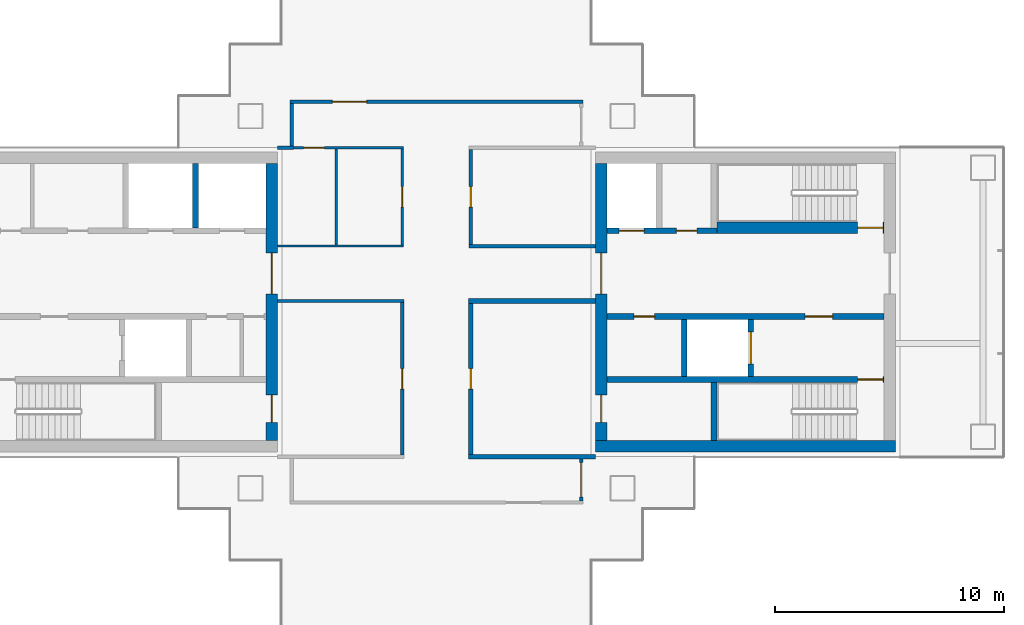
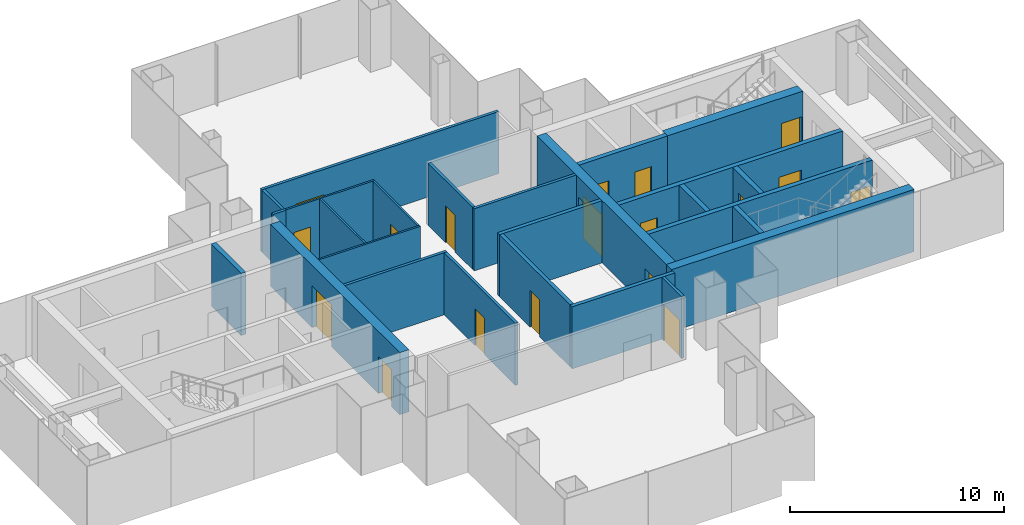
# One storey, part 12 of 16: 26 walls, 18 doors, 18 openings.
"""IFC4 building model written with IfcOpenShell, lengths in metres."""

from ifc_helpers import new_model, si_unit, direction, frame, frame_2d, origin, place, context, subcontext, project, spatial, rectangle, extrude, material, layer, layer_set, type_object, element, fill, save


model = new_model("IFC4")

# Units and contexts
model_context = context("Model", 3, precision=1e-05, world=origin(), true_north=direction((0.0, 1.0)))
body_context = subcontext(model_context, "Body", "Model", "MODEL_VIEW")
ifc_project = project(units=[si_unit("LENGTHUNIT", "METRE"), si_unit("AREAUNIT", "SQUARE_METRE"), si_unit("VOLUMEUNIT", "CUBIC_METRE"), si_unit("PLANEANGLEUNIT", "RADIAN"), si_unit("MASSUNIT", "GRAM", prefix="KILO")], contexts=[model_context])

# Site, building, storey
site_placement = place(None, origin())
site = spatial("IfcSite", under=ifc_project, at=site_placement, CompositionType="ELEMENT")
building_placement = place(site_placement, origin())
building = spatial("IfcBuilding", under=site, at=building_placement, Name="Shamsa Quay Exchange Towers", CompositionType="ELEMENT")
storey_placement = place(building_placement, frame((0.0, 0.0, 142.800048828125)))
storey = spatial("IfcBuildingStorey", under=building, at=storey_placement, Name="L33", CompositionType="ELEMENT", Elevation=142.800048828125)

# Wall, openings, doors
ifc_material_1 = material(Name="Concrete C60/75", Category="concrete")
ifc_layer_1 = layer(ifc_material_1, 0.5)
ifc_layer_set_1 = layer_set([ifc_layer_1], Name="CORE WALL 500 C60/75")
wall_type_1 = type_object("IfcWallType", Name="CORE WALL 500 C60/75", PredefinedType="SHEAR", material=ifc_layer_set_1)
wall_1_placement = place(storey_placement, frame((26.550048828125, 6.050048828125, 0.0), z_axis=(0.0, 0.0, 1.0), x_axis=(0.0, -1.0, 0.0)))
wall_1 = element("IfcWall", 1, at=wall_1_placement, inside=storey, type_object=wall_type_1, Name="Core wall T2A-R15-PB", PredefinedType="SHEAR", context=body_context, shape_type="SweptSolid", body=[
    extrude(rectangle(XDim=12.10009765625, YDim=0.5, at=frame_2d((6.050048828125, 0.0))), origin(), (0.0, 0.0, 1.0), 3.550048828125),
])
opening_1_placement = place(wall_1_placement, frame((10.10009765625, 0.0, 0.0)))
opening_1 = element("IfcOpeningElement", 2, at=opening_1_placement, cuts=wall_1, Name="Opening T2A-R15-RD02", PredefinedType="OPENING", context=body_context, shape_type="SweptSolid", body=[
    extrude(rectangle(XDim=1.199951171875, YDim=2.10009765625, at=frame_2d((0.60009765625, 1.050048828125))), frame((0.0, 0.260009765625, 0.0), z_axis=(0.0, -1.0, 0.0), x_axis=(1.0, 0.0, 0.0)), (0.0, 0.0, 1.0), 0.52001953125),
])
opening_2_placement = place(wall_1_placement, frame((3.89990234375, 0.0, 0.0)))
opening_2 = element("IfcOpeningElement", 3, at=opening_2_placement, cuts=wall_1, Name="Opening T2A-R15-LBD03", PredefinedType="OPENING", context=body_context, shape_type="SweptSolid", body=[
    extrude(rectangle(XDim=1.800048828125, YDim=2.39990234375, at=frame_2d((0.89990234375, 1.199951171875))), frame((0.0, 0.260009765625, 0.0), z_axis=(0.0, -1.0, 0.0), x_axis=(1.0, 0.0, 0.0)), (0.0, 0.0, 1.0), 0.52001953125),
])
ifc_material_2 = material(Name="Steel, fire rated", Category="steel")
door_type_1 = type_object("IfcDoorType", Name="LIFT LOBBY DOOR PAIR 1800", OperationType="DOUBLE_DOOR_SINGLE_SWING", PredefinedType="DOOR", material=ifc_material_2)
door_1_placement = place(opening_2_placement, origin())
door_1 = element("IfcDoor", 4, at=door_1_placement, inside=storey, type_object=door_type_1, Name="T2A-R15-LBD03", OperationType="DOUBLE_DOOR_SINGLE_SWING", OverallHeight=2.39990234375, OverallWidth=1.800048828125, PredefinedType="DOOR", context=body_context, shape_type="SweptSolid", body=[
    extrude(rectangle(XDim=1.800048828125, YDim=2.39990234375, at=frame_2d((0.89990234375, 1.199951171875))), frame((0.0, 0.02490234375, 0.0), z_axis=(0.0, -1.0, 0.0), x_axis=(1.0, 0.0, 0.0)), (0.0, 0.0, 1.0), 0.050048828125),
])
fill(opening_2, door_1)
door_type_2 = type_object("IfcDoorType", Name="RISER ACCESS DOOR 1200", OperationType="SINGLE_SWING_LEFT", PredefinedType="DOOR", material=ifc_material_2)
door_2_placement = place(opening_1_placement, origin())
door_2 = element("IfcDoor", 5, at=door_2_placement, inside=storey, type_object=door_type_2, Name="T2A-R15-RD02", OperationType="SINGLE_SWING_RIGHT", OverallHeight=2.10009765625, OverallWidth=1.199951171875, PredefinedType="DOOR", context=body_context, shape_type="SweptSolid", body=[
    extrude(rectangle(XDim=1.199951171875, YDim=2.10009765625, at=frame_2d((0.60009765625, 1.050048828125))), frame((0.0, 0.02490234375, 0.0), z_axis=(0.0, -1.0, 0.0), x_axis=(1.0, 0.0, 0.0)), (0.0, 0.0, 1.0), 0.050048828125),
])
fill(opening_1, door_2)

# Wall
wall_2_placement = place(storey_placement, frame((53.800048828125, -6.300048828125, 0.0), z_axis=(0.0, 0.0, 1.0), x_axis=(-1.0, 0.0, 0.0)))
element("IfcWall", 6, at=wall_2_placement, inside=storey, type_object=wall_type_1, Name="Core wall T2B-R15-PS", PredefinedType="SHEAR", context=body_context, shape_type="SweptSolid", body=[
    extrude(rectangle(XDim=13.10009765625, YDim=0.5, at=frame_2d((6.550048828125, 0.0))), origin(), (0.0, 0.0, 1.0), 3.550048828125),
])

# Wall, openings, doors
wall_3_placement = place(storey_placement, frame((40.949951171875, -6.050048828125, 0.0), z_axis=(0.0, 0.0, 1.0), x_axis=(0.0, 1.0, 0.0)))
wall_3 = element("IfcWall", 7, at=wall_3_placement, inside=storey, type_object=wall_type_1, Name="Core wall T2B-R15-PB", PredefinedType="SHEAR", context=body_context, shape_type="SweptSolid", body=[
    extrude(rectangle(XDim=12.10009765625, YDim=0.5, at=frame_2d((6.050048828125, 0.0))), origin(), (0.0, 0.0, 1.0), 3.550048828125),
])
opening_3_placement = place(wall_3_placement, frame((0.800048828125, 0.0, 0.0)))
opening_3 = element("IfcOpeningElement", 8, at=opening_3_placement, cuts=wall_3, Name="Opening T2B-R15-RD02", PredefinedType="OPENING", context=body_context, shape_type="SweptSolid", body=[
    extrude(rectangle(XDim=1.199951171875, YDim=2.10009765625, at=frame_2d((0.60009765625, 1.050048828125))), frame((0.0, 0.260009765625, 0.0), z_axis=(0.0, -1.0, 0.0), x_axis=(1.0, 0.0, 0.0)), (0.0, 0.0, 1.0), 0.52001953125),
])
opening_4_placement = place(wall_3_placement, frame((6.39990234375, 0.0, 0.0)))
opening_4 = element("IfcOpeningElement", 9, at=opening_4_placement, cuts=wall_3, Name="Opening T2B-R15-LBD03", PredefinedType="OPENING", context=body_context, shape_type="SweptSolid", body=[
    extrude(rectangle(XDim=1.800048828125, YDim=2.39990234375, at=frame_2d((0.89990234375, 1.199951171875))), frame((0.0, 0.260009765625, 0.0), z_axis=(0.0, -1.0, 0.0), x_axis=(1.0, 0.0, 0.0)), (0.0, 0.0, 1.0), 0.52001953125),
])
door_3_placement = place(opening_4_placement, origin())
door_3 = element("IfcDoor", 10, at=door_3_placement, inside=storey, type_object=door_type_1, Name="T2B-R15-LBD03", OperationType="DOUBLE_DOOR_SINGLE_SWING", OverallHeight=2.39990234375, OverallWidth=1.800048828125, PredefinedType="DOOR", context=body_context, shape_type="SweptSolid", body=[
    extrude(rectangle(XDim=1.800048828125, YDim=2.39990234375, at=frame_2d((0.89990234375, 1.199951171875))), frame((0.0, 0.02490234375, 0.0), z_axis=(0.0, -1.0, 0.0), x_axis=(1.0, 0.0, 0.0)), (0.0, 0.0, 1.0), 0.050048828125),
])
fill(opening_4, door_3)
door_4_placement = place(opening_3_placement, origin())
door_4 = element("IfcDoor", 11, at=door_4_placement, inside=storey, type_object=door_type_2, Name="T2B-R15-RD02", OperationType="SINGLE_SWING_LEFT", OverallHeight=2.10009765625, OverallWidth=1.199951171875, PredefinedType="DOOR", context=body_context, shape_type="SweptSolid", body=[
    extrude(rectangle(XDim=1.199951171875, YDim=2.10009765625, at=frame_2d((0.60009765625, 1.050048828125))), frame((0.0, 0.02490234375, 0.0), z_axis=(0.0, -1.0, 0.0), x_axis=(1.0, 0.0, 0.0)), (0.0, 0.0, 1.0), 0.050048828125),
])
fill(opening_3, door_4)

# Wall, opening, door
ifc_material_3 = material(Name="Gypsum board partition on metal studs")
ifc_layer_2 = layer(ifc_material_3, 0.10009765625)
ifc_layer_set_2 = layer_set([ifc_layer_2], Name="Partition 100 mm NOT RATED")
wall_type_2 = type_object("IfcWallType", Name="Partition 100 mm NOT RATED", PredefinedType="PARTITIONING", material=ifc_layer_set_2)
wall_4_placement = place(storey_placement, frame((32.300048828125, 6.75, 0.0), z_axis=(0.0, 0.0, 1.0), x_axis=(-1.0, 0.0, 0.0)))
wall_4 = element("IfcWall", 12, at=wall_4_placement, inside=storey, type_object=wall_type_2, Name="Partition T2-R15-W01", PredefinedType="PARTITIONING", context=body_context, shape_type="SweptSolid", body=[
    extrude(rectangle(XDim=4.9501953125, YDim=0.10009765625, at=frame_2d((2.47509765625, 0.0))), origin(), (0.0, 0.0, 1.0), 3.550048828125),
])
opening_5_placement = place(wall_4_placement, frame((3.4501953125, 0.0, 0.0)))
opening_5 = element("IfcOpeningElement", 13, at=opening_5_placement, cuts=wall_4, Name="Opening T2-R15-D08", PredefinedType="OPENING", context=body_context, shape_type="SweptSolid", body=[
    extrude(rectangle(XDim=0.89990234375, YDim=2.10009765625, at=frame_2d((0.449951171875, 1.050048828125))), frame((0.0, 0.06005859375, 0.0), z_axis=(0.0, -1.0, 0.0), x_axis=(1.0, 0.0, 0.0)), (0.0, 0.0, 1.0), 0.1201171875),
])
ifc_material_4 = material(Name="Timber door leaf in a metal frame", Category="wood")
door_type_3 = type_object("IfcDoorType", Name="Door 900x2100 NOT RATED", OperationType="NOTDEFINED", PredefinedType="DOOR", material=ifc_material_4)
door_5_placement = place(opening_5_placement, origin())
door_5 = element("IfcDoor", 14, at=door_5_placement, inside=storey, type_object=door_type_3, Name="Door T2-R15-D08", OperationType="SINGLE_SWING_LEFT", OverallHeight=2.10009765625, OverallWidth=0.89990234375, PredefinedType="DOOR", context=body_context, shape_type="SweptSolid", body=[
    extrude(rectangle(XDim=0.89990234375, YDim=2.10009765625, at=frame_2d((0.449951171875, 1.050048828125))), frame((0.0, 0.02490234375, 0.0), z_axis=(0.0, -1.0, 0.0), x_axis=(1.0, 0.0, 0.0)), (0.0, 0.0, 1.0), 0.050048828125),
])
fill(opening_5, door_5)

wall_5_placement = place(storey_placement, frame((32.25, 2.500244140625, 0.0), z_axis=(0.0, 0.0, 1.0), x_axis=(0.0, 1.0, 0.0)))
wall_5 = element("IfcWall", 15, at=wall_5_placement, inside=storey, type_object=wall_type_2, Name="Partition T2-R15-W02", PredefinedType="PARTITIONING", context=body_context, shape_type="SweptSolid", body=[
    extrude(rectangle(XDim=4.19970703125, YDim=0.10009765625, at=frame_2d((2.099853515625, 0.0))), origin(), (0.0, 0.0, 1.0), 3.550048828125),
])
opening_6_placement = place(wall_5_placement, frame((1.64990234375, 0.0, 0.0)))
opening_6 = element("IfcOpeningElement", 16, at=opening_6_placement, cuts=wall_5, Name="Opening T2-R15-D07", PredefinedType="OPENING", context=body_context, shape_type="SweptSolid", body=[
    extrude(rectangle(XDim=0.89990234375, YDim=2.10009765625, at=frame_2d((0.449951171875, 1.050048828125))), frame((0.0, 0.06005859375, 0.0), z_axis=(0.0, -1.0, 0.0), x_axis=(1.0, 0.0, 0.0)), (0.0, 0.0, 1.0), 0.1201171875),
])
door_6_placement = place(opening_6_placement, origin())
door_6 = element("IfcDoor", 17, at=door_6_placement, inside=storey, type_object=door_type_3, Name="Door T2-R15-D07", OperationType="SINGLE_SWING_RIGHT", OverallHeight=2.10009765625, OverallWidth=0.89990234375, PredefinedType="DOOR", context=body_context, shape_type="SweptSolid", body=[
    extrude(rectangle(XDim=0.89990234375, YDim=2.10009765625, at=frame_2d((0.449951171875, 1.050048828125))), frame((0.0, 0.02490234375, 0.0), z_axis=(0.0, -1.0, 0.0), x_axis=(1.0, 0.0, 0.0)), (0.0, 0.0, 1.0), 0.050048828125),
])
fill(opening_6, door_6)

# Walls
wall_6_placement = place(storey_placement, frame((26.800048828125, 2.4501953125, 0.0)))
element("IfcWall", 18, at=wall_6_placement, inside=storey, type_object=wall_type_2, Name="Partition T2-R15-W03", PredefinedType="PARTITIONING", context=body_context, shape_type="SweptSolid", body=[
    extrude(rectangle(XDim=5.5, YDim=0.10009765625, at=frame_2d((2.75, 0.0))), origin(), (0.0, 0.0, 1.0), 3.550048828125),
])
wall_7_placement = place(storey_placement, frame((29.375, 6.699951171875, 0.0), z_axis=(0.0, 0.0, 1.0), x_axis=(0.0, -1.0, 0.0)))
element("IfcWall", 19, at=wall_7_placement, inside=storey, type_object=wall_type_2, Name="Partition T2-R15-W20", PredefinedType="PARTITIONING", context=body_context, shape_type="SweptSolid", body=[
    extrude(rectangle(XDim=4.19970703125, YDim=0.10009765625, at=frame_2d((2.099853515625, 0.0))), origin(), (0.0, 0.0, 1.0), 3.550048828125),
])
ifc_layer_3 = layer(ifc_material_3, 0.14990234375)
ifc_layer_set_3 = layer_set([ifc_layer_3], Name="Partition 150 mm EI 60")
wall_type_3 = type_object("IfcWallType", Name="Partition 150 mm EI 60", PredefinedType="PARTITIONING", material=ifc_layer_set_3)
wall_8_placement = place(storey_placement, frame((32.324951171875, 0.0498046875, 0.0), z_axis=(0.0, 0.0, 1.0), x_axis=(-1.0, 0.0, 0.0)))
element("IfcWall", 20, at=wall_8_placement, inside=storey, type_object=wall_type_3, Name="Partition T2-R15-W04", PredefinedType="PARTITIONING", context=body_context, shape_type="SweptSolid", body=[
    extrude(rectangle(XDim=5.52490234375, YDim=0.14990234375, at=frame_2d((2.762451171875, 0.0))), origin(), (0.0, 0.0, 1.0), 3.550048828125),
])

# Wall, opening, door
wall_9_placement = place(storey_placement, frame((32.25, -6.675048828125, 0.0), z_axis=(0.0, 0.0, 1.0), x_axis=(0.0, 1.0, 0.0)))
wall_9 = element("IfcWall", 21, at=wall_9_placement, inside=storey, type_object=wall_type_3, Name="Partition T2-R15-W05", PredefinedType="PARTITIONING", context=body_context, shape_type="SweptSolid", body=[
    extrude(rectangle(XDim=6.64990234375, YDim=0.14990234375, at=frame_2d((3.324951171875, 0.0))), origin(), (0.0, 0.0, 1.0), 3.550048828125),
])
opening_7_placement = place(wall_9_placement, frame((2.875, 0.0, 0.0)))
opening_7 = element("IfcOpeningElement", 22, at=opening_7_placement, cuts=wall_9, Name="Opening T2-R15-D06", PredefinedType="OPENING", context=body_context, shape_type="SweptSolid", body=[
    extrude(rectangle(XDim=0.89990234375, YDim=2.10009765625, at=frame_2d((0.449951171875, 1.050048828125))), frame((0.0, 0.0849609375, 0.0), z_axis=(0.0, -1.0, 0.0), x_axis=(1.0, 0.0, 0.0)), (0.0, 0.0, 1.0), 0.169921875),
])
door_type_4 = type_object("IfcDoorType", Name="Door 900x2100 FD30S", OperationType="NOTDEFINED", PredefinedType="DOOR", material=ifc_material_4)
door_7_placement = place(opening_7_placement, origin())
door_7 = element("IfcDoor", 23, at=door_7_placement, inside=storey, type_object=door_type_4, Name="Door T2-R15-D06", OperationType="SINGLE_SWING_LEFT", OverallHeight=2.10009765625, OverallWidth=0.89990234375, PredefinedType="DOOR", context=body_context, shape_type="SweptSolid", body=[
    extrude(rectangle(XDim=0.89990234375, YDim=2.10009765625, at=frame_2d((0.449951171875, 1.050048828125))), frame((0.0, 0.02490234375, 0.0), z_axis=(0.0, -1.0, 0.0), x_axis=(1.0, 0.0, 0.0)), (0.0, 0.0, 1.0), 0.050048828125),
])
fill(opening_7, door_7)

# Wall
wall_10_placement = place(storey_placement, frame((35.175048828125, 2.4501953125, 0.0)))
element("IfcWall", 24, at=wall_10_placement, inside=storey, type_object=wall_type_3, Name="Partition T2-R15-W07", PredefinedType="PARTITIONING", context=body_context, shape_type="SweptSolid", body=[
    extrude(rectangle(XDim=5.52490234375, YDim=0.14990234375, at=frame_2d((2.762451171875, 0.0))), origin(), (0.0, 0.0, 1.0), 3.550048828125),
])

# Wall, opening, door
wall_11_placement = place(storey_placement, frame((35.25, 6.675048828125, 0.0), z_axis=(0.0, 0.0, 1.0), x_axis=(0.0, -1.0, 0.0)))
wall_11 = element("IfcWall", 25, at=wall_11_placement, inside=storey, type_object=wall_type_3, Name="Partition T2-R15-W08", PredefinedType="PARTITIONING", context=body_context, shape_type="SweptSolid", body=[
    extrude(rectangle(XDim=4.14990234375, YDim=0.14990234375, at=frame_2d((2.074951171875, 0.0))), origin(), (0.0, 0.0, 1.0), 3.550048828125),
])
opening_8_placement = place(wall_11_placement, frame((1.625, 0.0, 0.0)))
opening_8 = element("IfcOpeningElement", 26, at=opening_8_placement, cuts=wall_11, Name="Opening T2-R15-D05", PredefinedType="OPENING", context=body_context, shape_type="SweptSolid", body=[
    extrude(rectangle(XDim=0.89990234375, YDim=2.10009765625, at=frame_2d((0.449951171875, 1.050048828125))), frame((0.0, 0.0849609375, 0.0), z_axis=(0.0, -1.0, 0.0), x_axis=(1.0, 0.0, 0.0)), (0.0, 0.0, 1.0), 0.169921875),
])
door_8_placement = place(opening_8_placement, origin())
door_8 = element("IfcDoor", 27, at=door_8_placement, inside=storey, type_object=door_type_4, Name="Door T2-R15-D05", OperationType="SINGLE_SWING_RIGHT", OverallHeight=2.10009765625, OverallWidth=0.89990234375, PredefinedType="DOOR", context=body_context, shape_type="SweptSolid", body=[
    extrude(rectangle(XDim=0.89990234375, YDim=2.10009765625, at=frame_2d((0.449951171875, 1.050048828125))), frame((0.0, 0.02490234375, 0.0), z_axis=(0.0, -1.0, 0.0), x_axis=(1.0, 0.0, 0.0)), (0.0, 0.0, 1.0), 0.050048828125),
])
fill(opening_8, door_8)

# Wall
wall_12_placement = place(storey_placement, frame((27.499755859375, 6.75, 0.0), z_axis=(0.0, 0.0, 1.0), x_axis=(-1.0, 0.0, 0.0)))
element("IfcWall", 28, at=wall_12_placement, inside=storey, type_object=wall_type_3, Name="Partition T2-R15-W09", PredefinedType="PARTITIONING", context=body_context, shape_type="SweptSolid", body=[
    extrude(rectangle(XDim=0.69970703125, YDim=0.14990234375, at=frame_2d((0.349853515625, 0.0))), origin(), (0.0, 0.0, 1.0), 3.550048828125),
])

# Wall, opening, door
wall_13_placement = place(storey_placement, frame((40.0751953125, -8.675048828125, 0.0), z_axis=(0.0, 0.0, 1.0), x_axis=(0.0, 1.0, 0.0)))
wall_13 = element("IfcWall", 29, at=wall_13_placement, inside=storey, type_object=wall_type_3, Name="Partition T2-R15-W15", PredefinedType="PARTITIONING", context=body_context, shape_type="SweptSolid", body=[
    extrude(rectangle(XDim=1.824951171875, YDim=0.14990234375, at=frame_2d((0.91259765625, 0.0))), origin(), (0.0, 0.0, 1.0), 3.550048828125),
])
opening_9_placement = place(wall_13_placement, frame((0.175048828125, 0.0, 0.0)))
opening_9 = element("IfcOpeningElement", 30, at=opening_9_placement, cuts=wall_13, Name="Opening T2-R15-D02", PredefinedType="OPENING", context=body_context, shape_type="SweptSolid", body=[
    extrude(rectangle(XDim=1.5, YDim=2.10009765625, at=frame_2d((0.75, 1.050048828125))), frame((0.0, 0.0849609375, 0.0), z_axis=(0.0, -1.0, 0.0), x_axis=(1.0, 0.0, 0.0)), (0.0, 0.0, 1.0), 0.169921875),
])
door_type_5 = type_object("IfcDoorType", Name="Door 1500x2100 FD30S pair", OperationType="NOTDEFINED", PredefinedType="DOOR", material=ifc_material_4)
door_9_placement = place(opening_9_placement, origin())
door_9 = element("IfcDoor", 31, at=door_9_placement, inside=storey, type_object=door_type_5, Name="Door T2-R15-D02", OperationType="DOUBLE_DOOR_SINGLE_SWING", OverallHeight=2.10009765625, OverallWidth=1.5, PredefinedType="DOOR", context=body_context, shape_type="SweptSolid", body=[
    extrude(rectangle(XDim=1.5, YDim=2.10009765625, at=frame_2d((0.75, 1.050048828125))), frame((0.0, 0.02490234375, 0.0), z_axis=(0.0, -1.0, 0.0), x_axis=(1.0, 0.0, 0.0)), (0.0, 0.0, 1.0), 0.050048828125),
])
fill(opening_9, door_9)

wall_14_placement = place(storey_placement, frame((40.150146484375, 8.75, 0.0), z_axis=(0.0, 0.0, 1.0), x_axis=(-1.0, 0.0, 0.0)))
wall_14 = element("IfcWall", 32, at=wall_14_placement, inside=storey, type_object=wall_type_3, Name="Partition T2-R15-W16", PredefinedType="PARTITIONING", context=body_context, shape_type="SweptSolid", body=[
    extrude(rectangle(XDim=12.80029296875, YDim=0.14990234375, at=frame_2d((6.400146484375, 0.0))), origin(), (0.0, 0.0, 1.0), 3.550048828125),
])
opening_10_placement = place(wall_14_placement, frame((9.4453125, 0.0, 0.0)))
opening_10 = element("IfcOpeningElement", 33, at=opening_10_placement, cuts=wall_14, Name="Opening T2-R15-D09", PredefinedType="OPENING", context=body_context, shape_type="SweptSolid", body=[
    extrude(rectangle(XDim=1.5, YDim=2.10009765625, at=frame_2d((0.75, 1.050048828125))), frame((0.0, 0.0849609375, 0.0), z_axis=(0.0, -1.0, 0.0), x_axis=(1.0, 0.0, 0.0)), (0.0, 0.0, 1.0), 0.169921875),
])
door_10_placement = place(opening_10_placement, origin())
door_10 = element("IfcDoor", 34, at=door_10_placement, inside=storey, type_object=door_type_5, Name="Door T2-R15-D09", OperationType="DOUBLE_DOOR_SINGLE_SWING", OverallHeight=2.10009765625, OverallWidth=1.5, PredefinedType="DOOR", context=body_context, shape_type="SweptSolid", body=[
    extrude(rectangle(XDim=1.5, YDim=2.10009765625, at=frame_2d((0.75, 1.050048828125))), frame((0.0, 0.02490234375, 0.0), z_axis=(0.0, -1.0, 0.0), x_axis=(1.0, 0.0, 0.0)), (0.0, 0.0, 1.0), 0.050048828125),
])
fill(opening_10, door_10)

# Walls
wall_15_placement = place(storey_placement, frame((27.4248046875, 8.675048828125, 0.0), z_axis=(0.0, 0.0, 1.0), x_axis=(0.0, -1.0, 0.0)))
element("IfcWall", 35, at=wall_15_placement, inside=storey, type_object=wall_type_3, Name="Partition T2-R15-W18", PredefinedType="PARTITIONING", context=body_context, shape_type="SweptSolid", body=[
    extrude(rectangle(XDim=1.85009765625, YDim=0.14990234375, at=frame_2d((0.925048828125, 0.0))), origin(), (0.0, 0.0, 1.0), 3.550048828125),
])
ifc_layer_4 = layer(ifc_material_3, 0.199951171875)
ifc_layer_set_4 = layer_set([ifc_layer_4], Name="Partition 200 mm EI 120")
wall_type_4 = type_object("IfcWallType", Name="Partition 200 mm EI 120", PredefinedType="PARTITIONING", material=ifc_layer_set_4)
wall_16_placement = place(storey_placement, frame((35.14990234375, -6.75, 0.0)))
element("IfcWall", 36, at=wall_16_placement, inside=storey, type_object=wall_type_4, Name="Partition T2-R15-W11", PredefinedType="PARTITIONING", context=body_context, shape_type="SweptSolid", body=[
    extrude(rectangle(XDim=5.550048828125, YDim=0.199951171875, at=frame_2d((2.77490234375, 0.0))), origin(), (0.0, 0.0, 1.0), 3.550048828125),
])

# Wall, opening, door
wall_17_placement = place(storey_placement, frame((35.25, -0.05029296875, 0.0), z_axis=(0.0, 0.0, 1.0), x_axis=(0.0, -1.0, 0.0)))
wall_17 = element("IfcWall", 37, at=wall_17_placement, inside=storey, type_object=wall_type_4, Name="Partition T2-R15-W12", PredefinedType="PARTITIONING", context=body_context, shape_type="SweptSolid", body=[
    extrude(rectangle(XDim=6.599609375, YDim=0.199951171875, at=frame_2d((3.2998046875, 0.0))), origin(), (0.0, 0.0, 1.0), 3.550048828125),
])
opening_11_placement = place(wall_17_placement, frame((2.849853515625, 0.0, 0.0)))
opening_11 = element("IfcOpeningElement", 38, at=opening_11_placement, cuts=wall_17, Name="Opening T2-R15-D04", PredefinedType="OPENING", context=body_context, shape_type="SweptSolid", body=[
    extrude(rectangle(XDim=0.89990234375, YDim=2.10009765625, at=frame_2d((0.449951171875, 1.050048828125))), frame((0.0, 0.10986328125, 0.0), z_axis=(0.0, -1.0, 0.0), x_axis=(1.0, 0.0, 0.0)), (0.0, 0.0, 1.0), 0.219970703125),
])
door_type_6 = type_object("IfcDoorType", Name="Door 900x2100 FD60", OperationType="NOTDEFINED", PredefinedType="DOOR", material=ifc_material_4)
door_11_placement = place(opening_11_placement, origin())
door_11 = element("IfcDoor", 39, at=door_11_placement, inside=storey, type_object=door_type_6, Name="Door T2-R15-D04", OperationType="SINGLE_SWING_LEFT", OverallHeight=2.10009765625, OverallWidth=0.89990234375, PredefinedType="DOOR", context=body_context, shape_type="SweptSolid", body=[
    extrude(rectangle(XDim=0.89990234375, YDim=2.10009765625, at=frame_2d((0.449951171875, 1.050048828125))), frame((0.0, 0.02490234375, 0.0), z_axis=(0.0, -1.0, 0.0), x_axis=(1.0, 0.0, 0.0)), (0.0, 0.0, 1.0), 0.050048828125),
])
fill(opening_11, door_11)

# Walls
wall_18_placement = place(storey_placement, frame((40.699951171875, 0.0498046875, 0.0), z_axis=(0.0, 0.0, 1.0), x_axis=(-1.0, 0.0, 0.0)))
element("IfcWall", 40, at=wall_18_placement, inside=storey, type_object=wall_type_4, Name="Partition T2-R15-W13", PredefinedType="PARTITIONING", context=body_context, shape_type="SweptSolid", body=[
    extrude(rectangle(XDim=5.550048828125, YDim=0.199951171875, at=frame_2d((2.77490234375, 0.0))), origin(), (0.0, 0.0, 1.0), 3.550048828125),
])
ifc_material_5 = material(Name="Concrete C50/60", Category="concrete")
ifc_layer_5 = layer(ifc_material_5, 0.25)
ifc_layer_set_5 = layer_set([ifc_layer_5], Name="SHAFT WALL 250 C50/60")
wall_type_5 = type_object("IfcWallType", Name="SHAFT WALL 250 C50/60", PredefinedType="SHEAR", material=ifc_layer_set_5)
wall_19_placement = place(storey_placement, frame((23.22509765625, 3.25, 0.0), z_axis=(0.0, 0.0, 1.0), x_axis=(0.0, 1.0, 0.0)))
element("IfcWall", 41, at=wall_19_placement, inside=storey, type_object=wall_type_5, Name="Shaft wall T2A-R15-D2", PredefinedType="SHEAR", context=body_context, shape_type="SweptSolid", body=[
    extrude(rectangle(XDim=2.800048828125, YDim=0.25, at=frame_2d((1.39990234375, 0.0))), origin(), (0.0, 0.0, 1.0), 3.550048828125),
])

# Wall, opening, door
wall_20_placement = place(storey_placement, frame((53.300048828125, -3.375, 0.0), z_axis=(0.0, 0.0, 1.0), x_axis=(-1.0, 0.0, 0.0)))
wall_20 = element("IfcWall", 42, at=wall_20_placement, inside=storey, type_object=wall_type_5, Name="Shaft wall T2B-R15-STL", PredefinedType="SHEAR", context=body_context, shape_type="SweptSolid", body=[
    extrude(rectangle(XDim=12.10009765625, YDim=0.25, at=frame_2d((6.050048828125, 0.0))), origin(), (0.0, 0.0, 1.0), 3.550048828125),
])
opening_12_placement = place(wall_20_placement, frame((0.050048828125, 0.0, 0.0)))
opening_12 = element("IfcOpeningElement", 43, at=opening_12_placement, cuts=wall_20, Name="Opening T2B-R15-SD04", PredefinedType="OPENING", context=body_context, shape_type="SweptSolid", body=[
    extrude(rectangle(XDim=1.10009765625, YDim=2.10009765625, at=frame_2d((0.550048828125, 1.050048828125))), frame((0.0, 0.135009765625, 0.0), z_axis=(0.0, -1.0, 0.0), x_axis=(1.0, 0.0, 0.0)), (0.0, 0.0, 1.0), 0.27001953125),
])
door_type_7 = type_object("IfcDoorType", Name="STAIR DOOR 1100", OperationType="SINGLE_SWING_LEFT", PredefinedType="DOOR", material=ifc_material_2)
door_12_placement = place(opening_12_placement, origin())
door_12 = element("IfcDoor", 44, at=door_12_placement, inside=storey, type_object=door_type_7, Name="T2B-R15-SD04", OperationType="SINGLE_SWING_LEFT", OverallHeight=2.10009765625, OverallWidth=1.10009765625, PredefinedType="DOOR", context=body_context, shape_type="SweptSolid", body=[
    extrude(rectangle(XDim=1.10009765625, YDim=2.10009765625, at=frame_2d((0.550048828125, 1.050048828125))), frame((0.0, 0.02490234375, 0.0), z_axis=(0.0, -1.0, 0.0), x_axis=(1.0, 0.0, 0.0)), (0.0, 0.0, 1.0), 0.050048828125),
])
fill(opening_12, door_12)

# Wall
wall_21_placement = place(storey_placement, frame((45.875, -6.050048828125, 0.0), z_axis=(0.0, 0.0, 1.0), x_axis=(0.0, 1.0, 0.0)))
element("IfcWall", 45, at=wall_21_placement, inside=storey, type_object=wall_type_5, Name="Shaft wall T2B-R15-STF", PredefinedType="SHEAR", context=body_context, shape_type="SweptSolid", body=[
    extrude(rectangle(XDim=2.550048828125, YDim=0.25, at=frame_2d((1.27490234375, 0.0))), origin(), (0.0, 0.0, 1.0), 3.550048828125),
])

# Wall, openings, doors
wall_22_placement = place(storey_placement, frame((53.300048828125, -0.625, 0.0), z_axis=(0.0, 0.0, 1.0), x_axis=(-1.0, 0.0, 0.0)))
wall_22 = element("IfcWall", 46, at=wall_22_placement, inside=storey, type_object=wall_type_5, Name="Shaft wall T2B-R15-B", PredefinedType="SHEAR", context=body_context, shape_type="SweptSolid", body=[
    extrude(rectangle(XDim=12.10009765625, YDim=0.25, at=frame_2d((6.050048828125, 0.0))), origin(), (0.0, 0.0, 1.0), 3.550048828125),
])
opening_13_placement = place(wall_22_placement, frame((2.25, 0.0, 0.0)))
opening_13 = element("IfcOpeningElement", 47, at=opening_13_placement, cuts=wall_22, Name="Opening T2B-R15-FD05", PredefinedType="OPENING", context=body_context, shape_type="SweptSolid", body=[
    extrude(rectangle(XDim=1.199951171875, YDim=2.10009765625, at=frame_2d((0.60009765625, 1.050048828125))), frame((0.0, 0.135009765625, 0.0), z_axis=(0.0, -1.0, 0.0), x_axis=(1.0, 0.0, 0.0)), (0.0, 0.0, 1.0), 0.27001953125),
])
opening_14_placement = place(wall_22_placement, frame((10.02490234375, 0.0, 0.0)))
opening_14 = element("IfcOpeningElement", 48, at=opening_14_placement, cuts=wall_22, Name="Opening T2B-R15-SV06", PredefinedType="OPENING", context=body_context, shape_type="SweptSolid", body=[
    extrude(rectangle(XDim=0.89990234375, YDim=2.10009765625, at=frame_2d((0.449951171875, 1.050048828125))), frame((0.0, 0.135009765625, 0.0), z_axis=(0.0, -1.0, 0.0), x_axis=(1.0, 0.0, 0.0)), (0.0, 0.0, 1.0), 0.27001953125),
])
door_type_8 = type_object("IfcDoorType", Name="FIRE SERVICE LOBBY DOOR 1200", OperationType="SINGLE_SWING_LEFT", PredefinedType="DOOR", material=ifc_material_2)
door_13_placement = place(opening_13_placement, origin())
door_13 = element("IfcDoor", 49, at=door_13_placement, inside=storey, type_object=door_type_8, Name="T2B-R15-FD05", OperationType="SINGLE_SWING_LEFT", OverallHeight=2.10009765625, OverallWidth=1.199951171875, PredefinedType="DOOR", context=body_context, shape_type="SweptSolid", body=[
    extrude(rectangle(XDim=1.199951171875, YDim=2.10009765625, at=frame_2d((0.60009765625, 1.050048828125))), frame((0.0, 0.02490234375, 0.0), z_axis=(0.0, -1.0, 0.0), x_axis=(1.0, 0.0, 0.0)), (0.0, 0.0, 1.0), 0.050048828125),
])
fill(opening_13, door_13)
door_type_9 = type_object("IfcDoorType", Name="SERVICE ROOM DOOR 900", OperationType="SINGLE_SWING_LEFT", PredefinedType="DOOR", material=ifc_material_2)
door_14_placement = place(opening_14_placement, origin())
door_14 = element("IfcDoor", 50, at=door_14_placement, inside=storey, type_object=door_type_9, Name="T2B-R15-SV06", OperationType="SINGLE_SWING_RIGHT", OverallHeight=2.10009765625, OverallWidth=0.89990234375, PredefinedType="DOOR", context=body_context, shape_type="SweptSolid", body=[
    extrude(rectangle(XDim=0.89990234375, YDim=2.10009765625, at=frame_2d((0.449951171875, 1.050048828125))), frame((0.0, 0.02490234375, 0.0), z_axis=(0.0, -1.0, 0.0), x_axis=(1.0, 0.0, 0.0)), (0.0, 0.0, 1.0), 0.050048828125),
])
fill(opening_14, door_14)

# Wall, opening, door
wall_23_placement = place(storey_placement, frame((47.47509765625, -3.25, 0.0), z_axis=(0.0, 0.0, 1.0), x_axis=(0.0, 1.0, 0.0)))
wall_23 = element("IfcWall", 51, at=wall_23_placement, inside=storey, type_object=wall_type_5, Name="Shaft wall T2B-R15-FFF", PredefinedType="SHEAR", context=body_context, shape_type="SweptSolid", body=[
    extrude(rectangle(XDim=2.5, YDim=0.25, at=frame_2d((1.25, 0.0))), origin(), (0.0, 0.0, 1.0), 3.550048828125),
])
opening_15_placement = place(wall_23_placement, frame((0.550048828125, 0.0, 0.0)))
opening_15 = element("IfcOpeningElement", 52, at=opening_15_placement, cuts=wall_23, Name="Opening T2B-R15-LDG07", PredefinedType="OPENING", context=body_context, shape_type="SweptSolid", body=[
    extrude(rectangle(XDim=1.39990234375, YDim=2.39990234375, at=frame_2d((0.699951171875, 1.199951171875))), frame((0.0, 0.135009765625, 0.0), z_axis=(0.0, -1.0, 0.0), x_axis=(1.0, 0.0, 0.0)), (0.0, 0.0, 1.0), 0.27001953125),
])
door_type_10 = type_object("IfcDoorType", Name="GOODS LIFT LANDING DOOR 1400", OperationType="SLIDING_TO_LEFT", PredefinedType="DOOR", material=ifc_material_2)
door_15_placement = place(opening_15_placement, origin())
door_15 = element("IfcDoor", 53, at=door_15_placement, inside=storey, type_object=door_type_10, Name="T2B-R15-LDG07", OperationType="SLIDING_TO_LEFT", OverallHeight=2.39990234375, OverallWidth=1.39990234375, PredefinedType="DOOR", context=body_context, shape_type="SweptSolid", body=[
    extrude(rectangle(XDim=1.39990234375, YDim=2.39990234375, at=frame_2d((0.699951171875, 1.199951171875))), frame((0.0, 0.02490234375, 0.0), z_axis=(0.0, -1.0, 0.0), x_axis=(1.0, 0.0, 0.0)), (0.0, 0.0, 1.0), 0.050048828125),
])
fill(opening_15, door_15)

# Wall
wall_24_placement = place(storey_placement, frame((44.574951171875, -3.25, 0.0), z_axis=(0.0, 0.0, 1.0), x_axis=(0.0, 1.0, 0.0)))
element("IfcWall", 54, at=wall_24_placement, inside=storey, type_object=wall_type_5, Name="Shaft wall T2B-R15-FFB", PredefinedType="SHEAR", context=body_context, shape_type="SweptSolid", body=[
    extrude(rectangle(XDim=2.5, YDim=0.25, at=frame_2d((1.25, 0.0))), origin(), (0.0, 0.0, 1.0), 3.550048828125),
])

# Wall, openings, doors
wall_25_placement = place(storey_placement, frame((41.199951171875, 3.125, 0.0)))
wall_25 = element("IfcWall", 55, at=wall_25_placement, inside=storey, type_object=wall_type_5, Name="Shaft wall T2B-R15-N2", PredefinedType="SHEAR", context=body_context, shape_type="SweptSolid", body=[
    extrude(rectangle(XDim=4.800048828125, YDim=0.25, at=frame_2d((2.39990234375, 0.0))), origin(), (0.0, 0.0, 1.0), 3.550048828125),
])
opening_16_placement = place(wall_25_placement, frame((0.52490234375, 0.0, 0.0)))
opening_16 = element("IfcOpeningElement", 56, at=opening_16_placement, cuts=wall_25, Name="Opening T2B-R15-LD09", PredefinedType="OPENING", context=body_context, shape_type="SweptSolid", body=[
    extrude(rectangle(XDim=1.10009765625, YDim=2.10009765625, at=frame_2d((0.550048828125, 1.050048828125))), frame((0.0, 0.135009765625, 0.0), z_axis=(0.0, -1.0, 0.0), x_axis=(1.0, 0.0, 0.0)), (0.0, 0.0, 1.0), 0.27001953125),
])
opening_17_placement = place(wall_25_placement, frame((3.02490234375, 0.0, 0.0)))
opening_17 = element("IfcOpeningElement", 57, at=opening_17_placement, cuts=wall_25, Name="Opening T2B-R15-SV10", PredefinedType="OPENING", context=body_context, shape_type="SweptSolid", body=[
    extrude(rectangle(XDim=0.89990234375, YDim=2.10009765625, at=frame_2d((0.449951171875, 1.050048828125))), frame((0.0, 0.135009765625, 0.0), z_axis=(0.0, -1.0, 0.0), x_axis=(1.0, 0.0, 0.0)), (0.0, 0.0, 1.0), 0.27001953125),
])
door_type_11 = type_object("IfcDoorType", Name="LANDING DOOR 1100", OperationType="SLIDING_TO_LEFT", PredefinedType="DOOR", material=ifc_material_2)
door_16_placement = place(opening_16_placement, origin())
door_16 = element("IfcDoor", 58, at=door_16_placement, inside=storey, type_object=door_type_11, Name="T2B-R15-LD09", OperationType="SLIDING_TO_LEFT", OverallHeight=2.10009765625, OverallWidth=1.10009765625, PredefinedType="DOOR", context=body_context, shape_type="SweptSolid", body=[
    extrude(rectangle(XDim=1.10009765625, YDim=2.10009765625, at=frame_2d((0.550048828125, 1.050048828125))), frame((0.0, 0.02490234375, 0.0), z_axis=(0.0, -1.0, 0.0), x_axis=(1.0, 0.0, 0.0)), (0.0, 0.0, 1.0), 0.050048828125),
])
fill(opening_16, door_16)
door_17_placement = place(opening_17_placement, origin())
door_17 = element("IfcDoor", 59, at=door_17_placement, inside=storey, type_object=door_type_9, Name="T2B-R15-SV10", OperationType="SINGLE_SWING_RIGHT", OverallHeight=2.10009765625, OverallWidth=0.89990234375, PredefinedType="DOOR", context=body_context, shape_type="SweptSolid", body=[
    extrude(rectangle(XDim=0.89990234375, YDim=2.10009765625, at=frame_2d((0.449951171875, 1.050048828125))), frame((0.0, 0.02490234375, 0.0), z_axis=(0.0, -1.0, 0.0), x_axis=(1.0, 0.0, 0.0)), (0.0, 0.0, 1.0), 0.050048828125),
])
fill(opening_17, door_17)

# Wall, opening, door
ifc_layer_6 = layer(ifc_material_5, 0.5)
ifc_layer_set_6 = layer_set([ifc_layer_6], Name="SHAFT WALL 500 C50/60")
wall_type_6 = type_object("IfcWallType", Name="SHAFT WALL 500 C50/60", PredefinedType="SHEAR", material=ifc_layer_set_6)
wall_26_placement = place(storey_placement, frame((46.0, 3.25, 0.0)))
wall_26 = element("IfcWall", 60, at=wall_26_placement, inside=storey, type_object=wall_type_6, Name="Shaft wall T2B-R15-N", PredefinedType="SHEAR", context=body_context, shape_type="SweptSolid", body=[
    extrude(rectangle(XDim=7.300048828125, YDim=0.5, at=frame_2d((3.64990234375, 0.0))), origin(), (0.0, 0.0, 1.0), 3.550048828125),
])
opening_18_placement = place(wall_26_placement, frame((6.14990234375, 0.0, 0.0)))
opening_18 = element("IfcOpeningElement", 61, at=opening_18_placement, cuts=wall_26, Name="Opening T2B-R15-SD08", PredefinedType="OPENING", context=body_context, shape_type="SweptSolid", body=[
    extrude(rectangle(XDim=1.10009765625, YDim=2.10009765625, at=frame_2d((0.550048828125, 1.050048828125))), frame((0.0, 0.260009765625, 0.0), z_axis=(0.0, -1.0, 0.0), x_axis=(1.0, 0.0, 0.0)), (0.0, 0.0, 1.0), 0.52001953125),
])
door_18_placement = place(opening_18_placement, origin())
door_18 = element("IfcDoor", 62, at=door_18_placement, inside=storey, type_object=door_type_7, Name="T2B-R15-SD08", OperationType="SINGLE_SWING_RIGHT", OverallHeight=2.10009765625, OverallWidth=1.10009765625, PredefinedType="DOOR", context=body_context, shape_type="SweptSolid", body=[
    extrude(rectangle(XDim=1.10009765625, YDim=2.10009765625, at=frame_2d((0.550048828125, 1.050048828125))), frame((0.0, 0.02490234375, 0.0), z_axis=(0.0, -1.0, 0.0), x_axis=(1.0, 0.0, 0.0)), (0.0, 0.0, 1.0), 0.050048828125),
])
fill(opening_18, door_18)

save(model, "model.ifc")
